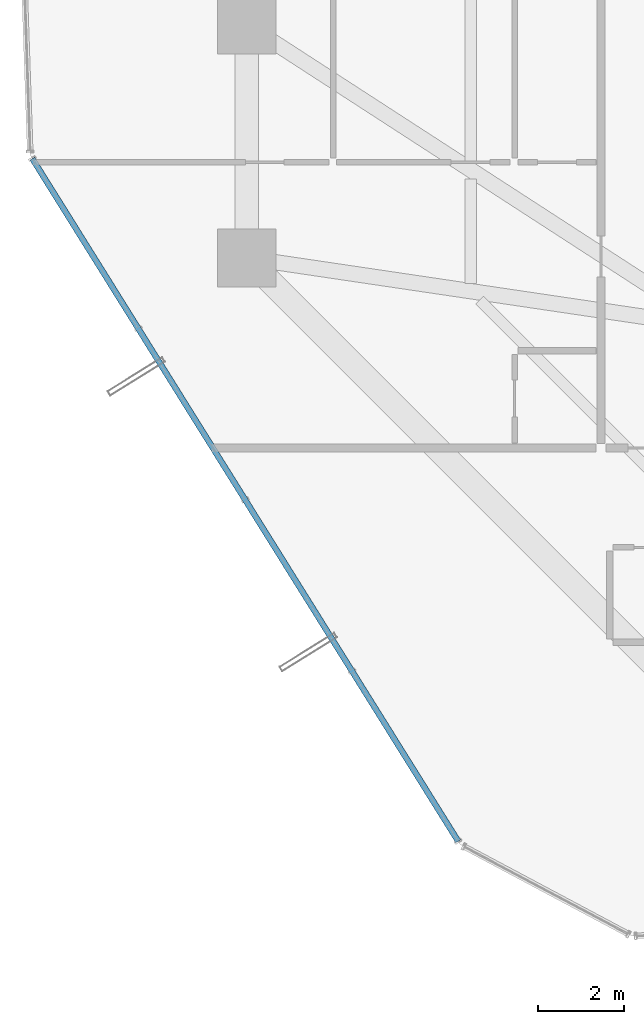
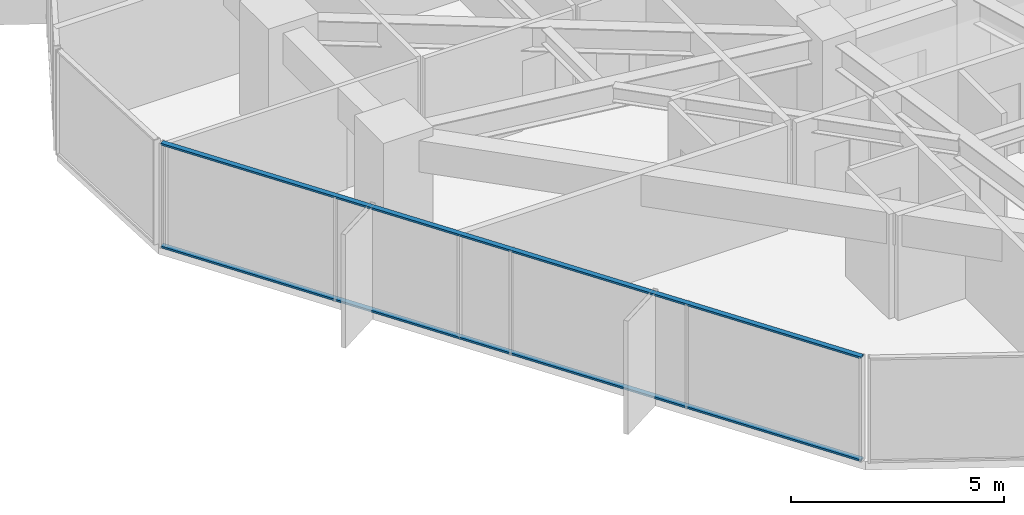
# One storey, part 3 of 39: 2 members, 1 element without a shape of its own.
"""IFC4 building model written with IfcOpenShell, lengths in metres."""

from ifc_helpers import new_model, si_unit, direction, frame, origin, origin_2d, place, context, subcontext, project, spatial, hollow_rectangle, extrude, source, transform, mapped, material, layer, layer_set, material_profile, profile_set, type_object, element, aggregate, save


model = new_model("IFC4")

# Units and contexts
model_context = context("Model", 3, precision=1e-05, world=origin(), true_north=direction((0.0, 1.0)))
body_context = subcontext(model_context, "Body", "Model", "MODEL_VIEW")
ifc_project = project(units=[si_unit("LENGTHUNIT", "METRE"), si_unit("AREAUNIT", "SQUARE_METRE"), si_unit("VOLUMEUNIT", "CUBIC_METRE"), si_unit("PLANEANGLEUNIT", "RADIAN"), si_unit("MASSUNIT", "GRAM", prefix="KILO")], contexts=[model_context])

# Site, building, storey
site_placement = place(None, origin())
site = spatial("IfcSite", under=ifc_project, at=site_placement, CompositionType="ELEMENT")
building_placement = place(site_placement, origin())
building = spatial("IfcBuilding", under=site, at=building_placement, Name="Veraguas Prism Commons", CompositionType="ELEMENT")
storey_placement = place(building_placement, frame((0.0, 0.0, 30.550048828125)))
storey = spatial("IfcBuildingStorey", under=building, at=storey_placement, Name="L07", CompositionType="ELEMENT", Elevation=30.550048828125)

# Curtain wall, members
ifc_material = material(Name="Anodised aluminium EN AW-6063 T6", Category="aluminium")
ifc_layer = layer(ifc_material, 0.169921875, Name="Unitised Flush Curtain Wall Zone 1", Category="aluminium")
ifc_layer_set = layer_set([ifc_layer], Name="Anodised aluminium EN AW-6063 T6")
curtain_wall_type = type_object("IfcCurtainWallType", Name="Unitised Flush Curtain Wall Zone 1", PredefinedType="NOTDEFINED", material=ifc_layer_set)
curtain_wall_placement = place(storey_placement, origin())
curtain_wall = element("IfcCurtainWall", 1, at=curtain_wall_placement, inside=storey, type_object=curtain_wall_type, Name="Tower Facade Curtain Wall L07-F4", PredefinedType="NOTDEFINED")
ifc_material_profile = material_profile(ifc_material, hollow_rectangle(XDim=0.054931640625, YDim=0.135009765625, WallThickness=0.0029296875, at=origin_2d()), Name="AL55X135X3")
ifc_profile_set = profile_set([ifc_material_profile], Name="Anodised aluminium EN AW-6063 T6")
member_type = type_object("IfcMemberType", Name="Curtain Wall Transom Standard AL 55x135x3", PredefinedType="USERDEFINED", material=ifc_profile_set)
shared_shape = source(origin(), body_context, "Body", "SweptSolid", [
    extrude(hollow_rectangle(XDim=0.054931640625, YDim=0.135009765625, WallThickness=0.0029296875, at=origin_2d()), origin(), (0.0, 0.0, 1.0), 18.623779296875),
])
member_1_placement = place(storey_placement, frame((1.43701171875, 20.8984375, 0.02734375), z_axis=(0.529320041875, -0.848422237609, 0.0), x_axis=(0.0, 0.0, 1.0)))
member_1 = element("IfcMember", 2, at=member_1_placement, type_object=member_type, Name="CW-Z1 Transom 1", ObjectType="TRANSOM", PredefinedType="USERDEFINED", context=body_context, shape_type="MappedRepresentation", body=[
    mapped(shared_shape, transform((0.0, 0.0, 0.0), scale=1.0)),
])
member_2_placement = place(storey_placement, frame((1.43701171875, 20.8984375, 2.972412109375), z_axis=(0.529320041875, -0.848422237609, 0.0), x_axis=(0.0, 0.0, 1.0)))
member_2 = element("IfcMember", 3, at=member_2_placement, type_object=member_type, Name="CW-Z1 Transom 2", ObjectType="TRANSOM", PredefinedType="USERDEFINED", context=body_context, shape_type="MappedRepresentation", body=[
    mapped(shared_shape, transform((0.0, 0.0, 0.0), scale=1.0)),
])
aggregate(curtain_wall, [member_1, member_2])

save(model, "model.ifc")
